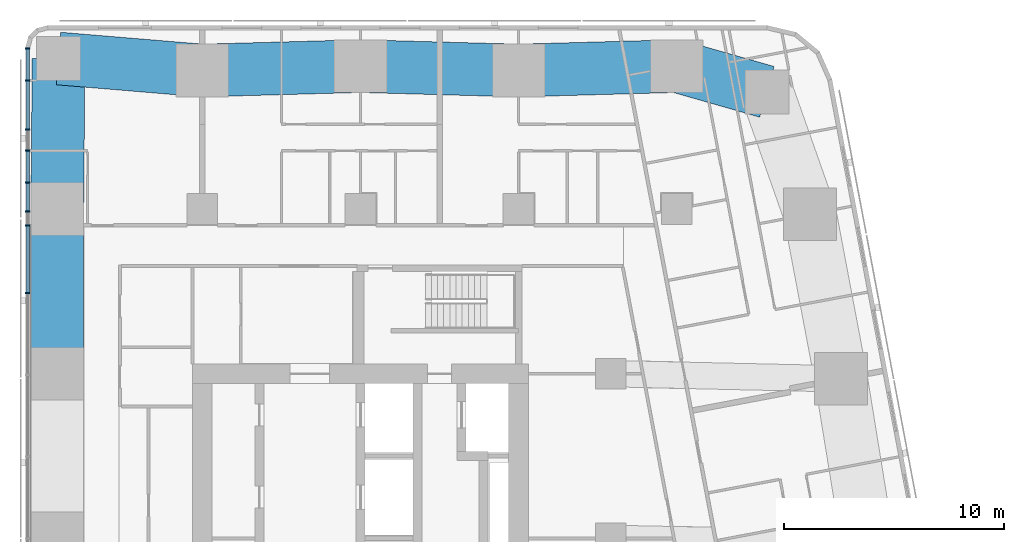
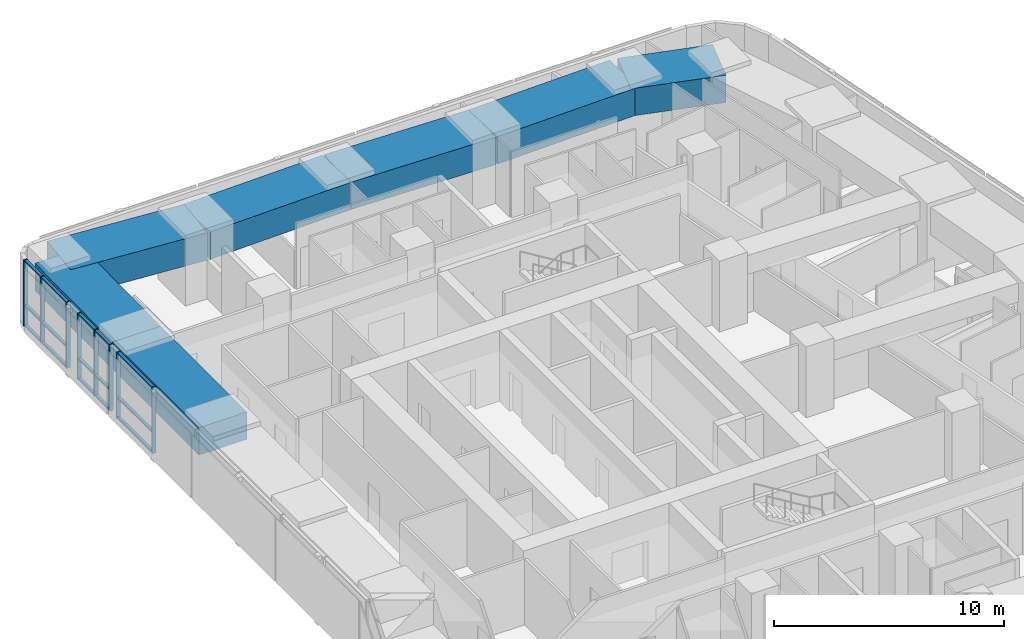
# One storey, part 5 of 19: 23 members, 7 beams, 1 element without a shape of its own.
"""IFC4 building model written with IfcOpenShell, lengths in metres."""

from ifc_helpers import new_model, si_unit, direction, frame, origin, origin_2d, place, context, subcontext, project, spatial, rectangle, extrude, material, material_profile, profile_set, type_object, element, aggregate, save


model = new_model("IFC4")

# Units and contexts
model_context = context("Model", 3, precision=1e-05, world=origin(), true_north=direction((0.0, 1.0)))
body_context = subcontext(model_context, "Body", "Model", "MODEL_VIEW")
ifc_project = project(units=[si_unit("LENGTHUNIT", "METRE"), si_unit("AREAUNIT", "SQUARE_METRE"), si_unit("VOLUMEUNIT", "CUBIC_METRE"), si_unit("PLANEANGLEUNIT", "RADIAN"), si_unit("MASSUNIT", "GRAM", prefix="KILO")], contexts=[model_context])

# Site, building, storey
site_placement = place(None, origin())
site = spatial("IfcSite", under=ifc_project, at=site_placement, CompositionType="ELEMENT")
building_placement = place(site_placement, origin())
building = spatial("IfcBuilding", under=site, at=building_placement, Name="Sheger Commons Tower", CompositionType="ELEMENT")
storey_placement = place(building_placement, frame((0.0, 0.0, 216.199951171875)))
storey = spatial("IfcBuildingStorey", under=building, at=storey_placement, Name="L55", CompositionType="ELEMENT", Elevation=216.199951171875)

# Curtain wall, members
ifc_material_1 = material(Name="Black aluminium curtain wall, dark tinted glazing", Category="aluminium")
curtain_wall_type = type_object("IfcCurtainWallType", Name="CURTAIN WALL CW4 GALLERY", PredefinedType="USERDEFINED", material=ifc_material_1)
curtain_wall_placement = place(storey_placement, origin())
curtain_wall = element("IfcCurtainWall", 1, at=curtain_wall_placement, inside=storey, type_object=curtain_wall_type, Name="Curtain Wall Cw4 Gallery W1 L55", ObjectType="UNITISED CURTAIN WALL", PredefinedType="USERDEFINED")
ifc_material_2 = material(Name="Black anodised aluminium", Category="aluminium")
ifc_material_profile_1 = material_profile(ifc_material_2, rectangle(XDim=0.199951171875, YDim=0.06494140625, at=origin_2d()), Name="AL 65x200")
ifc_profile_set_1 = profile_set([ifc_material_profile_1], Name="Black anodised aluminium")
member_type_1 = type_object("IfcMemberType", Name="MULLION AL 65x200", PredefinedType="MULLION", material=ifc_profile_set_1)
member_1_placement = place(storey_placement, frame((6.449951171875, 44.804443359375, 0.0), z_axis=(0.0, 0.0, 1.0), x_axis=(1.0, 0.0, 0.0)))
member_1 = element("IfcMember", 2, at=member_1_placement, type_object=member_type_1, Name="CW4 mullion 1", PredefinedType="MULLION", context=body_context, shape_type="SweptSolid", body=[
    extrude(rectangle(XDim=0.199951171875, YDim=0.06494140625, at=origin_2d()), origin(), (0.0, 0.0, 1.0), 3.5),
])
member_2_placement = place(storey_placement, frame((6.449951171875, 43.345947265625, 0.0), z_axis=(0.0, 0.0, 1.0), x_axis=(1.0, 0.0, 0.0)))
member_2 = element("IfcMember", 3, at=member_2_placement, type_object=member_type_1, Name="CW4 mullion 2", PredefinedType="MULLION", context=body_context, shape_type="SweptSolid", body=[
    extrude(rectangle(XDim=0.199951171875, YDim=0.06494140625, at=origin_2d()), origin(), (0.0, 0.0, 1.0), 3.5),
])
member_3_placement = place(storey_placement, frame((6.449951171875, 41.114013671875, 0.0), z_axis=(0.0, 0.0, 1.0), x_axis=(1.0, 0.0, 0.0)))
member_3 = element("IfcMember", 4, at=member_3_placement, type_object=member_type_1, Name="CW4 mullion 3", PredefinedType="MULLION", context=body_context, shape_type="SweptSolid", body=[
    extrude(rectangle(XDim=0.199951171875, YDim=0.06494140625, at=origin_2d()), origin(), (0.0, 0.0, 1.0), 3.5),
])
member_4_placement = place(storey_placement, frame((6.449951171875, 40.14990234375, 0.0), z_axis=(0.0, 0.0, 1.0), x_axis=(1.0, 0.0, 0.0)))
member_4 = element("IfcMember", 5, at=member_4_placement, type_object=member_type_1, Name="CW4 mullion 4", PredefinedType="MULLION", context=body_context, shape_type="SweptSolid", body=[
    extrude(rectangle(XDim=0.199951171875, YDim=0.06494140625, at=origin_2d()), origin(), (0.0, 0.0, 1.0), 3.5),
])
member_5_placement = place(storey_placement, frame((6.449951171875, 38.699951171875, 0.0), z_axis=(0.0, 0.0, 1.0), x_axis=(1.0, 0.0, 0.0)))
member_5 = element("IfcMember", 6, at=member_5_placement, type_object=member_type_1, Name="CW4 mullion 5", PredefinedType="MULLION", context=body_context, shape_type="SweptSolid", body=[
    extrude(rectangle(XDim=0.199951171875, YDim=0.06494140625, at=origin_2d()), origin(), (0.0, 0.0, 1.0), 3.5),
])
member_6_placement = place(storey_placement, frame((6.449951171875, 37.39111328125, 0.0), z_axis=(0.0, 0.0, 1.0), x_axis=(1.0, 0.0, 0.0)))
member_6 = element("IfcMember", 7, at=member_6_placement, type_object=member_type_1, Name="CW4 mullion 6", PredefinedType="MULLION", context=body_context, shape_type="SweptSolid", body=[
    extrude(rectangle(XDim=0.199951171875, YDim=0.06494140625, at=origin_2d()), origin(), (0.0, 0.0, 1.0), 3.5),
])
member_7_placement = place(storey_placement, frame((6.449951171875, 36.75, 0.0), z_axis=(0.0, 0.0, 1.0), x_axis=(1.0, 0.0, 0.0)))
member_7 = element("IfcMember", 8, at=member_7_placement, type_object=member_type_1, Name="CW4 mullion 7", PredefinedType="MULLION", context=body_context, shape_type="SweptSolid", body=[
    extrude(rectangle(XDim=0.199951171875, YDim=0.06494140625, at=origin_2d()), origin(), (0.0, 0.0, 1.0), 3.5),
])
member_8_placement = place(storey_placement, frame((6.449951171875, 33.66796875, 0.0), z_axis=(0.0, 0.0, 1.0), x_axis=(1.0, 0.0, 0.0)))
member_8 = element("IfcMember", 9, at=member_8_placement, type_object=member_type_1, Name="CW4 mullion 8", PredefinedType="MULLION", context=body_context, shape_type="SweptSolid", body=[
    extrude(rectangle(XDim=0.199951171875, YDim=0.06494140625, at=origin_2d()), origin(), (0.0, 0.0, 1.0), 3.5),
])

# Beams
ifc_material_3 = material(Name="Concrete C50/60", Category="concrete")
ifc_material_profile_2 = material_profile(ifc_material_3, rectangle(XDim=2.39990234375, YDim=1.449951171875, at=origin_2d()), Name="RC 2400x1450")
ifc_profile_set_2 = profile_set([ifc_material_profile_2], Name="Concrete C50/60")
beam_type = type_object("IfcBeamType", Name="SPANDREL RC 2400x1450", PredefinedType="SPANDREL", material=ifc_profile_set_2)
beam_1_placement = place(storey_placement, frame((40.10205078125, 42.830078125, 2.775146484375), z_axis=(-0.961653428129, 0.274267541221, 0.0), x_axis=(-0.274267541221, -0.961653428129, 0.0)))
element("IfcBeam", 10, at=beam_1_placement, inside=storey, type_object=beam_type, Name="Beam 41.490,44.505-6/G under L56", PredefinedType="SPANDREL", context=body_context, shape_type="SweptSolid", body=[
    extrude(rectangle(XDim=2.39990234375, YDim=1.449951171875, at=origin_2d()), origin(), (0.0, 0.0, 1.0), 4.265625),
])
for number, where, z_axis, x_axis, name in (
    (11, (36.0, 44.0, 2.775146484375), (-0.999614603568, -0.027760481514, 0.0), (0.027760481514, -0.999614603568, 0.0), "Beam 6/G-5/G under L56"),
    (12, (28.800048828125, 43.800048828125, 2.775146484375), (-0.999614603568, 0.027760481514, 0.0), (-0.027760481514, -0.999614603568, 0.0), "Beam 5/G-4/G under L56"),
):
    element("IfcBeam", number, at=place(storey_placement, frame(where, z_axis=z_axis, x_axis=x_axis)), inside=storey, type_object=beam_type, Name=name, PredefinedType="SPANDREL", context=body_context, shape_type="SweptSolid", body=[
        extrude(rectangle(XDim=2.39990234375, YDim=1.449951171875, at=origin_2d()), origin(), (0.0, 0.0, 1.0), 7.20263671875),
    ])
beam_2_placement = place(storey_placement, frame((21.60009765625, 44.0, 2.775146484375), z_axis=(-0.999614629688, -0.027759540951, 0.0), x_axis=(0.027759540951, -0.999614629688, 0.0)))
element("IfcBeam", 13, at=beam_2_placement, inside=storey, type_object=beam_type, Name="Beam 4/G-3/G under L56", PredefinedType="SPANDREL", context=body_context, shape_type="SweptSolid", body=[
    extrude(rectangle(XDim=2.39990234375, YDim=1.449951171875, at=origin_2d()), origin(), (0.0, 0.0, 1.0), 7.202880859375),
])
beam_3_placement = place(storey_placement, frame((14.39990234375, 43.800048828125, 2.775146484375), z_axis=(-0.996540629765, 0.083106998663, 0.0), x_axis=(-0.083106998663, -0.996540629765, 0.0)))
element("IfcBeam", 14, at=beam_3_placement, inside=storey, type_object=beam_type, Name="Beam 3/G-2/G under L56", PredefinedType="SPANDREL", context=body_context, shape_type="SweptSolid", body=[
    extrude(rectangle(XDim=2.39990234375, YDim=1.449951171875, at=origin_2d()), origin(), (0.0, 0.0, 1.0), 6.568603515625),
])
beam_4_placement = place(storey_placement, frame((7.85400390625, 44.345947265625, 2.775146484375), z_axis=(-0.00788107188, -0.999968943871, 0.0), x_axis=(0.999968943871, -0.00788107188, 0.0)))
element("IfcBeam", 15, at=beam_4_placement, inside=storey, type_object=beam_type, Name="Beam 2/G-2/F under L56", PredefinedType="SPANDREL", context=body_context, shape_type="SweptSolid", body=[
    extrude(rectangle(XDim=2.39990234375, YDim=1.449951171875, at=origin_2d()), origin(), (0.0, 0.0, 1.0), 6.84619140625),
])
beam_5_placement = place(storey_placement, frame((7.800048828125, 37.5, 2.775146484375), z_axis=(0.0, -1.0, 0.0), x_axis=(1.0, 0.0, 0.0)))
element("IfcBeam", 16, at=beam_5_placement, inside=storey, type_object=beam_type, Name="Beam 2/F-2/E under L56", PredefinedType="SPANDREL", context=body_context, shape_type="SweptSolid", body=[
    extrude(rectangle(XDim=2.39990234375, YDim=1.449951171875, at=origin_2d()), origin(), (0.0, 0.0, 1.0), 7.5),
])

# Member
ifc_material_4 = material(Name="Black anodised aluminium", Category="aluminium")
ifc_material_profile_3 = material_profile(ifc_material_4, rectangle(XDim=0.14990234375, YDim=0.06494140625, at=origin_2d()), Name="AL 65x150")
ifc_profile_set_3 = profile_set([ifc_material_profile_3], Name="Black anodised aluminium")
member_type_2 = type_object("IfcMemberType", Name="TRANSOM AL 65x150", PredefinedType="USERDEFINED", material=ifc_profile_set_3)
member_9_placement = place(storey_placement, frame((6.449951171875, 44.77197265625, 0.032470703125), z_axis=(0.0, -1.0, 0.0), x_axis=(1.0, 0.0, 0.0)))
member_9 = element("IfcMember", 17, at=member_9_placement, type_object=member_type_2, Name="CW4 transom 1.1", ObjectType="TRANSOM", PredefinedType="USERDEFINED", context=body_context, shape_type="SweptSolid", body=[
    extrude(rectangle(XDim=0.14990234375, YDim=0.06494140625, at=origin_2d()), origin(), (0.0, 0.0, 1.0), 1.3935546875),
])

member_10_placement = place(storey_placement, frame((6.449951171875, 44.77197265625, 1.10009765625), z_axis=(0.0, -1.0, 0.0), x_axis=(1.0, 0.0, 0.0)))
member_10 = element("IfcMember", 18, at=member_10_placement, type_object=member_type_2, Name="CW4 transom 1.2", ObjectType="TRANSOM", PredefinedType="USERDEFINED", context=body_context, shape_type="SweptSolid", body=[
    extrude(rectangle(XDim=0.14990234375, YDim=0.06494140625, at=origin_2d()), origin(), (0.0, 0.0, 1.0), 1.3935546875),
])

member_11_placement = place(storey_placement, frame((6.449951171875, 44.77197265625, 3.467529296875), z_axis=(0.0, -1.0, 0.0), x_axis=(1.0, 0.0, 0.0)))
member_11 = element("IfcMember", 19, at=member_11_placement, type_object=member_type_2, Name="CW4 transom 1.3", ObjectType="TRANSOM", PredefinedType="USERDEFINED", context=body_context, shape_type="SweptSolid", body=[
    extrude(rectangle(XDim=0.14990234375, YDim=0.06494140625, at=origin_2d()), origin(), (0.0, 0.0, 1.0), 1.3935546875),
])

member_12_placement = place(storey_placement, frame((6.449951171875, 43.3134765625, 0.032470703125), z_axis=(0.0, -1.0, 0.0), x_axis=(1.0, 0.0, 0.0)))
member_12 = element("IfcMember", 20, at=member_12_placement, type_object=member_type_2, Name="CW4 transom 2.1", ObjectType="TRANSOM", PredefinedType="USERDEFINED", context=body_context, shape_type="SweptSolid", body=[
    extrude(rectangle(XDim=0.14990234375, YDim=0.06494140625, at=origin_2d()), origin(), (0.0, 0.0, 1.0), 2.1669921875),
])

member_13_placement = place(storey_placement, frame((6.449951171875, 43.3134765625, 1.10009765625), z_axis=(0.0, -1.0, 0.0), x_axis=(1.0, 0.0, 0.0)))
member_13 = element("IfcMember", 21, at=member_13_placement, type_object=member_type_2, Name="CW4 transom 2.2", ObjectType="TRANSOM", PredefinedType="USERDEFINED", context=body_context, shape_type="SweptSolid", body=[
    extrude(rectangle(XDim=0.14990234375, YDim=0.06494140625, at=origin_2d()), origin(), (0.0, 0.0, 1.0), 2.1669921875),
])

member_14_placement = place(storey_placement, frame((6.449951171875, 43.3134765625, 3.467529296875), z_axis=(0.0, -1.0, 0.0), x_axis=(1.0, 0.0, 0.0)))
member_14 = element("IfcMember", 22, at=member_14_placement, type_object=member_type_2, Name="CW4 transom 2.3", ObjectType="TRANSOM", PredefinedType="USERDEFINED", context=body_context, shape_type="SweptSolid", body=[
    extrude(rectangle(XDim=0.14990234375, YDim=0.06494140625, at=origin_2d()), origin(), (0.0, 0.0, 1.0), 2.1669921875),
])

member_15_placement = place(storey_placement, frame((6.449951171875, 40.117431640625, 0.032470703125), z_axis=(0.0, -1.0, 0.0), x_axis=(1.0, 0.0, 0.0)))
member_15 = element("IfcMember", 23, at=member_15_placement, type_object=member_type_2, Name="CW4 transom 4.1", ObjectType="TRANSOM", PredefinedType="USERDEFINED", context=body_context, shape_type="SweptSolid", body=[
    extrude(rectangle(XDim=0.14990234375, YDim=0.06494140625, at=origin_2d()), origin(), (0.0, 0.0, 1.0), 1.385009765625),
])

member_16_placement = place(storey_placement, frame((6.449951171875, 40.117431640625, 1.10009765625), z_axis=(0.0, -1.0, 0.0), x_axis=(1.0, 0.0, 0.0)))
member_16 = element("IfcMember", 24, at=member_16_placement, type_object=member_type_2, Name="CW4 transom 4.2", ObjectType="TRANSOM", PredefinedType="USERDEFINED", context=body_context, shape_type="SweptSolid", body=[
    extrude(rectangle(XDim=0.14990234375, YDim=0.06494140625, at=origin_2d()), origin(), (0.0, 0.0, 1.0), 1.385009765625),
])

member_17_placement = place(storey_placement, frame((6.449951171875, 40.117431640625, 3.467529296875), z_axis=(0.0, -1.0, 0.0), x_axis=(1.0, 0.0, 0.0)))
member_17 = element("IfcMember", 25, at=member_17_placement, type_object=member_type_2, Name="CW4 transom 4.3", ObjectType="TRANSOM", PredefinedType="USERDEFINED", context=body_context, shape_type="SweptSolid", body=[
    extrude(rectangle(XDim=0.14990234375, YDim=0.06494140625, at=origin_2d()), origin(), (0.0, 0.0, 1.0), 1.385009765625),
])

member_18_placement = place(storey_placement, frame((6.449951171875, 38.66748046875, 0.032470703125), z_axis=(0.0, -1.0, 0.0), x_axis=(1.0, 0.0, 0.0)))
member_18 = element("IfcMember", 26, at=member_18_placement, type_object=member_type_2, Name="CW4 transom 5.1", ObjectType="TRANSOM", PredefinedType="USERDEFINED", context=body_context, shape_type="SweptSolid", body=[
    extrude(rectangle(XDim=0.14990234375, YDim=0.06494140625, at=origin_2d()), origin(), (0.0, 0.0, 1.0), 1.243896484375),
])

member_19_placement = place(storey_placement, frame((6.449951171875, 38.66748046875, 1.10009765625), z_axis=(0.0, -1.0, 0.0), x_axis=(1.0, 0.0, 0.0)))
member_19 = element("IfcMember", 27, at=member_19_placement, type_object=member_type_2, Name="CW4 transom 5.2", ObjectType="TRANSOM", PredefinedType="USERDEFINED", context=body_context, shape_type="SweptSolid", body=[
    extrude(rectangle(XDim=0.14990234375, YDim=0.06494140625, at=origin_2d()), origin(), (0.0, 0.0, 1.0), 1.243896484375),
])

member_20_placement = place(storey_placement, frame((6.449951171875, 38.66748046875, 3.467529296875), z_axis=(0.0, -1.0, 0.0), x_axis=(1.0, 0.0, 0.0)))
member_20 = element("IfcMember", 28, at=member_20_placement, type_object=member_type_2, Name="CW4 transom 5.3", ObjectType="TRANSOM", PredefinedType="USERDEFINED", context=body_context, shape_type="SweptSolid", body=[
    extrude(rectangle(XDim=0.14990234375, YDim=0.06494140625, at=origin_2d()), origin(), (0.0, 0.0, 1.0), 1.243896484375),
])

member_21_placement = place(storey_placement, frame((6.449951171875, 36.717529296875, 0.032470703125), z_axis=(0.0, -1.0, 0.0), x_axis=(1.0, 0.0, 0.0)))
member_21 = element("IfcMember", 29, at=member_21_placement, type_object=member_type_2, Name="CW4 transom 7.1", ObjectType="TRANSOM", PredefinedType="USERDEFINED", context=body_context, shape_type="SweptSolid", body=[
    extrude(rectangle(XDim=0.14990234375, YDim=0.06494140625, at=origin_2d()), origin(), (0.0, 0.0, 1.0), 3.01708984375),
])

member_22_placement = place(storey_placement, frame((6.449951171875, 36.717529296875, 1.10009765625), z_axis=(0.0, -1.0, 0.0), x_axis=(1.0, 0.0, 0.0)))
member_22 = element("IfcMember", 30, at=member_22_placement, type_object=member_type_2, Name="CW4 transom 7.2", ObjectType="TRANSOM", PredefinedType="USERDEFINED", context=body_context, shape_type="SweptSolid", body=[
    extrude(rectangle(XDim=0.14990234375, YDim=0.06494140625, at=origin_2d()), origin(), (0.0, 0.0, 1.0), 3.01708984375),
])

member_23_placement = place(storey_placement, frame((6.449951171875, 36.717529296875, 3.467529296875), z_axis=(0.0, -1.0, 0.0), x_axis=(1.0, 0.0, 0.0)))
member_23 = element("IfcMember", 31, at=member_23_placement, type_object=member_type_2, Name="CW4 transom 7.3", ObjectType="TRANSOM", PredefinedType="USERDEFINED", context=body_context, shape_type="SweptSolid", body=[
    extrude(rectangle(XDim=0.14990234375, YDim=0.06494140625, at=origin_2d()), origin(), (0.0, 0.0, 1.0), 3.01708984375),
])

aggregate(curtain_wall, [member_1, member_2, member_3, member_4, member_5, member_6, member_7, member_8, member_9, member_10, member_11, member_12, member_13, member_14, member_15, member_16, member_17, member_18, member_19, member_20, member_21, member_22, member_23])

save(model, "model.ifc")
